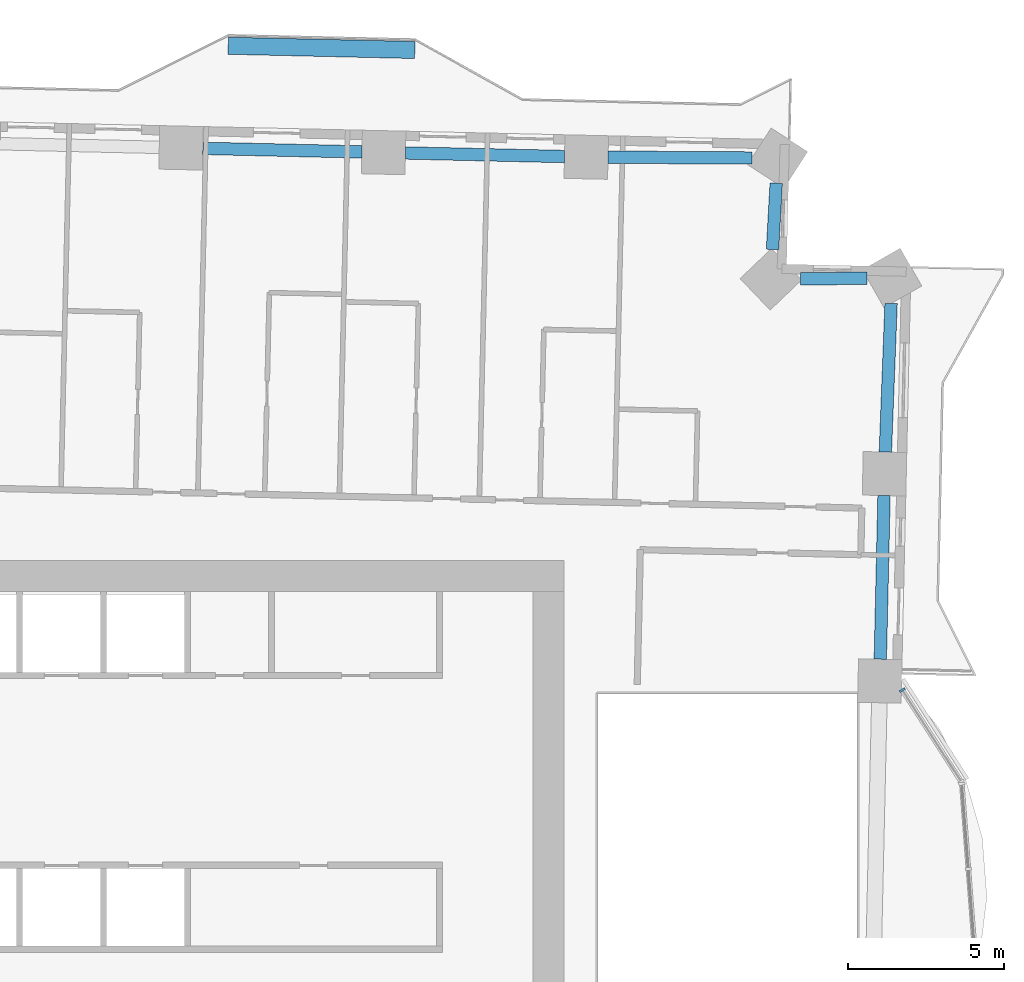
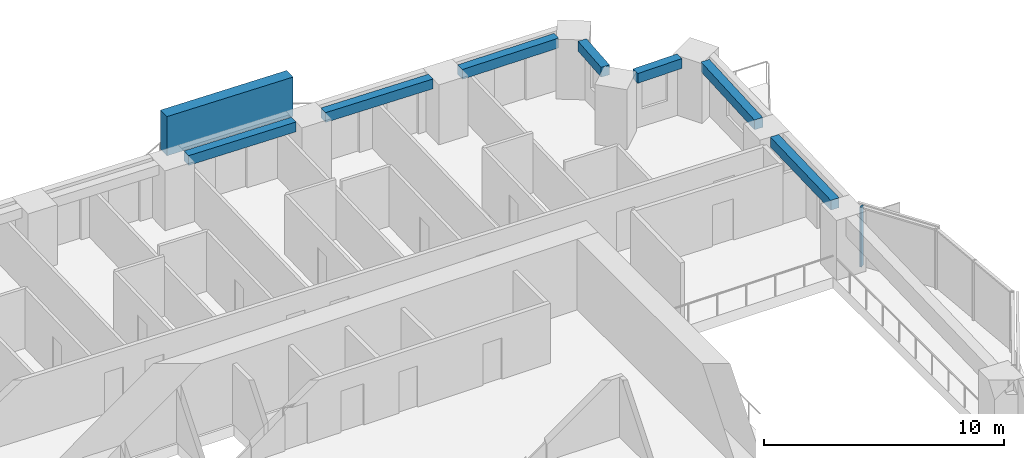
# One storey, part 4 of 16: 7 beams, 2 members, 1 element without a shape of its own.
"""IFC4 building model written with IfcOpenShell, lengths in metres."""

from ifc_helpers import new_model, si_unit, direction, frame, origin, origin_2d, place, context, subcontext, project, spatial, rectangle, extrude, material, material_profile, profile_set, type_object, element, aggregate, save


model = new_model("IFC4")

# Units and contexts
model_context = context("Model", 3, precision=1e-05, world=origin(), true_north=direction((0.0, 1.0)))
body_context = subcontext(model_context, "Body", "Model", "MODEL_VIEW")
ifc_project = project(units=[si_unit("LENGTHUNIT", "METRE"), si_unit("AREAUNIT", "SQUARE_METRE"), si_unit("VOLUMEUNIT", "CUBIC_METRE"), si_unit("PLANEANGLEUNIT", "RADIAN"), si_unit("MASSUNIT", "GRAM", prefix="KILO")], contexts=[model_context])

# Site, building, storey
site_placement = place(None, origin())
site = spatial("IfcSite", under=ifc_project, at=site_placement, CompositionType="ELEMENT")
building_placement = place(site_placement, origin())
building = spatial("IfcBuilding", under=site, at=building_placement, Name="Mangrove Gate Tower", CompositionType="ELEMENT")
storey_placement = place(building_placement, frame((0.0, 0.0, 105.5)))
storey = spatial("IfcBuildingStorey", under=building, at=storey_placement, Name="L26", CompositionType="ELEMENT", Elevation=105.5)

# Curtain wall, member
ifc_material_1 = material(Name="Aluminium and glass curtain wall", Category="aluminium")
curtain_wall_type = type_object("IfcCurtainWallType", Name="Atrium garden-court glazing wall", PredefinedType="NOTDEFINED", material=ifc_material_1)
curtain_wall_placement = place(storey_placement, origin())
curtain_wall = element("IfcCurtainWall", 1, at=curtain_wall_placement, inside=storey, type_object=curtain_wall_type, Name="Atrium garden-court glazing E1f3", PredefinedType="NOTDEFINED")
ifc_material_2 = material(Name="Aluminium alloy 6063-T6", Category="aluminium")
ifc_material_profile_1 = material_profile(ifc_material_2, rectangle(XDim=0.070068359375, YDim=0.199951171875, at=origin_2d()))
ifc_profile_set_1 = profile_set([ifc_material_profile_1], Name="Aluminium alloy 6063-T6")
member_type_1 = type_object("IfcMemberType", Name="Atrium garden-court glazing mullion 70x200", PredefinedType="MULLION", material=ifc_profile_set_1)
member_1_placement = place(storey_placement, frame((25.67626953125, 7.6337890625, 0.0), z_axis=(0.0, 0.0, 1.0), x_axis=(-0.540510523896, 0.841337253162, 0.0)))
member_1 = element("IfcMember", 2, at=member_1_placement, type_object=member_type_1, Name="CWA mullion 2", PredefinedType="MULLION", context=body_context, shape_type="SweptSolid", body=[
    extrude(rectangle(XDim=0.070068359375, YDim=0.199951171875, at=origin_2d()), origin(), (0.0, 0.0, 1.0), 3.050048828125),
])
aggregate(curtain_wall, [member_1])

# Member
ifc_material_3 = material(Name="Planting on aluminium trellis", Category="aluminium")
ifc_material_profile_2 = material_profile(ifc_material_3, rectangle(XDim=0.550048828125, YDim=2.0, at=origin_2d()))
ifc_profile_set_2 = profile_set([ifc_material_profile_2], Name="Planting on aluminium trellis")
member_type_2 = type_object("IfcMemberType", Name="Balcony greenery screen 550x2000", PredefinedType="USERDEFINED", material=ifc_profile_set_2)
member_2_placement = place(storey_placement, frame((4.007080078125, 28.344970703125, 1.800048828125), z_axis=(0.999743178102, -0.022662255828, 0.0), x_axis=(0.022662255828, 0.999743178102, 0.0)))
element("IfcMember", 3, at=member_2_placement, inside=storey, type_object=member_type_2, Name="GREEN SCREEN L26 N0.1", ObjectType="PLANTING", PredefinedType="USERDEFINED", context=body_context, shape_type="SweptSolid", body=[
    extrude(rectangle(XDim=0.550048828125, YDim=2.0, at=origin_2d()), origin(), (0.0, 0.0, 1.0), 6.00048828125),
])

# Beams
ifc_material_4 = material(Name="Concrete C50/60", Category="concrete")
ifc_material_profile_3 = material_profile(ifc_material_4, rectangle(XDim=0.39990234375, YDim=0.5, at=origin_2d()))
ifc_profile_set_3 = profile_set([ifc_material_profile_3], Name="Concrete C50/60")
beam_type = type_object("IfcBeamType", Name="Edge beam RC 400x500 C50/60", PredefinedType="BEAM", material=ifc_profile_set_3)
beam_1_placement = place(storey_placement, frame((24.968994140625, 8.624755859375, 2.800048828125), z_axis=(0.022689785053, 0.999742553688, 0.0), x_axis=(-0.999742553688, 0.022689785053, 0.0)))
element("IfcBeam", 4, at=beam_1_placement, inside=storey, type_object=beam_type, Name="Edge beam L26 16", PredefinedType="BEAM", context=body_context, shape_type="SweptSolid", body=[
    extrude(rectangle(XDim=0.39990234375, YDim=0.5, at=origin_2d()), origin(), (0.0, 0.0, 1.0), 5.26171875),
])
beam_2_placement = place(storey_placement, frame((25.131103515625, 15.284423828125, 2.800048828125), z_axis=(0.038521415319, 0.999257774832, 0.0), x_axis=(-0.999257774832, 0.038521415319, 0.0)))
element("IfcBeam", 5, at=beam_2_placement, inside=storey, type_object=beam_type, Name="Edge beam L26 17", PredefinedType="BEAM", context=body_context, shape_type="SweptSolid", body=[
    extrude(rectangle(XDim=0.39990234375, YDim=0.5, at=origin_2d()), origin(), (0.0, 0.0, 1.0), 4.77880859375),
])
beam_3_placement = place(storey_placement, frame((24.546630859375, 20.8740234375, 2.800048828125), z_axis=(-0.999929581757, -0.011867245978, 0.0), x_axis=(0.011867245978, -0.999929581757, 0.0)))
element("IfcBeam", 6, at=beam_3_placement, inside=storey, type_object=beam_type, Name="Edge beam L26 18", PredefinedType="BEAM", context=body_context, shape_type="SweptSolid", body=[
    extrude(rectangle(XDim=0.39990234375, YDim=0.5, at=origin_2d()), origin(), (0.0, 0.0, 1.0), 2.1396484375),
])
beam_4_placement = place(storey_placement, frame((21.50341796875, 21.794677734375, 2.800048828125), z_axis=(0.055767490661, 0.998443782586, 0.0), x_axis=(-0.998443782586, 0.055767490661, 0.0)))
element("IfcBeam", 7, at=beam_4_placement, inside=storey, type_object=beam_type, Name="Edge beam L26 19", PredefinedType="BEAM", context=body_context, shape_type="SweptSolid", body=[
    extrude(rectangle(XDim=0.39990234375, YDim=0.5, at=origin_2d()), origin(), (0.0, 0.0, 1.0), 2.136474609375),
])
beam_5_placement = place(storey_placement, frame((20.83740234375, 24.736572265625, 2.800048828125), z_axis=(-0.999983412295, 0.005759786089, 0.0), x_axis=(-0.005759786089, -0.999983412295, 0.0)))
element("IfcBeam", 8, at=beam_5_placement, inside=storey, type_object=beam_type, Name="Edge beam L26 20", PredefinedType="BEAM", context=body_context, shape_type="SweptSolid", body=[
    extrude(rectangle(XDim=0.39990234375, YDim=0.5, at=origin_2d()), origin(), (0.0, 0.0, 1.0), 4.6201171875),
])
beam_6_placement = place(storey_placement, frame((14.8173828125, 24.783203125, 2.800048828125), z_axis=(-0.99974294325, 0.022672613896, 0.0), x_axis=(-0.022672613896, -0.99974294325, 0.0)))
element("IfcBeam", 9, at=beam_6_placement, inside=storey, type_object=beam_type, Name="Edge beam L26 21", PredefinedType="BEAM", context=body_context, shape_type="SweptSolid", body=[
    extrude(rectangle(XDim=0.39990234375, YDim=0.5, at=origin_2d()), origin(), (0.0, 0.0, 1.0), 5.11474609375),
])
beam_7_placement = place(storey_placement, frame((8.30419921875, 24.93115234375, 2.800048828125), z_axis=(-0.99974193409, 0.022717068963, 0.0), x_axis=(-0.022717068963, -0.99974193409, 0.0)))
element("IfcBeam", 10, at=beam_7_placement, inside=storey, type_object=beam_type, Name="Edge beam L26 22", PredefinedType="BEAM", context=body_context, shape_type="SweptSolid", body=[
    extrude(rectangle(XDim=0.39990234375, YDim=0.5, at=origin_2d()), origin(), (0.0, 0.0, 1.0), 5.115478515625),
])

save(model, "model.ifc")
